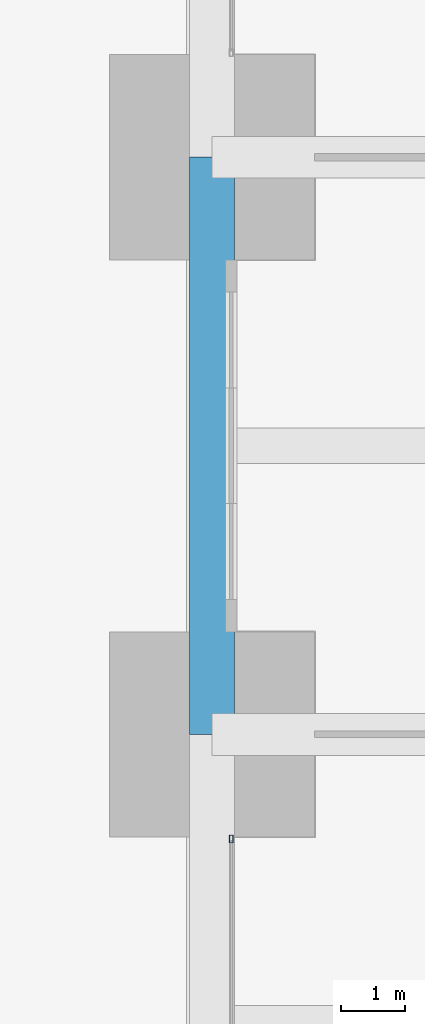
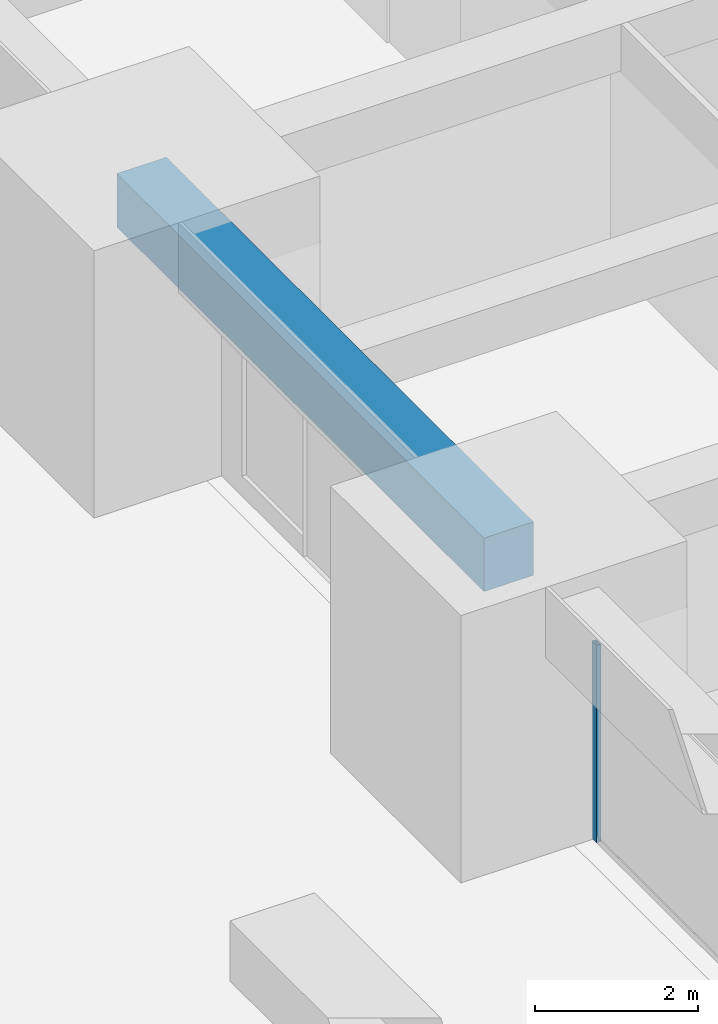
# One storey, part 11 of 40: 1 beam, 1 member, 1 element without a shape of its own.
"""IFC4 building model written with IfcOpenShell, lengths in metres."""

from ifc_helpers import new_model, si_unit, direction, frame, origin, origin_2d, place, context, subcontext, project, spatial, rectangle, hollow_rectangle, extrude, material, material_profile, profile_set, type_object, element, aggregate, save


model = new_model("IFC4")

# Units and contexts
model_context = context("Model", 3, precision=1e-05, world=origin(), true_north=direction((0.0, 1.0)))
body_context = subcontext(model_context, "Body", "Model", "MODEL_VIEW")
ifc_project = project(units=[si_unit("LENGTHUNIT", "METRE"), si_unit("AREAUNIT", "SQUARE_METRE"), si_unit("VOLUMEUNIT", "CUBIC_METRE"), si_unit("PLANEANGLEUNIT", "RADIAN"), si_unit("MASSUNIT", "GRAM", prefix="KILO")], contexts=[model_context])

# Site, building, storey
site_placement = place(None, origin())
site = spatial("IfcSite", under=ifc_project, at=site_placement, CompositionType="ELEMENT")
building_placement = place(site_placement, origin())
building = spatial("IfcBuilding", under=site, at=building_placement, Name="Zorevar Civic Tower", CompositionType="ELEMENT")
storey_placement = place(building_placement, frame((0.0, 0.0, 239.39990234375)))
storey = spatial("IfcBuildingStorey", under=building, at=storey_placement, Name="L58", CompositionType="ELEMENT", Elevation=239.39990234375)

# Curtain wall, member
ifc_material_1 = material(Name="Dark grey solar-control glass in black aluminium frame", Category="aluminium")
curtain_wall_type = type_object("IfcCurtainWallType", Name="Curtain wall CW5 top zone", PredefinedType="NOTDEFINED", material=ifc_material_1)
curtain_wall_placement = place(storey_placement, origin())
curtain_wall = element("IfcCurtainWall", 1, at=curtain_wall_placement, inside=storey, type_object=curtain_wall_type, Name="CW5 L58", PredefinedType="NOTDEFINED")
ifc_material_2 = material(Name="Aluminium, black anodised", Category="aluminium")
ifc_material_profile_1 = material_profile(ifc_material_2, hollow_rectangle(XDim=0.06005859375, YDim=0.1201171875, WallThickness=0.0029296875, at=origin_2d()), Name="AL 120x60x3")
ifc_profile_set_1 = profile_set([ifc_material_profile_1], Name="Aluminium, black anodised")
member_type = type_object("IfcMemberType", Name="CW5 mullion AL 120x60x3", PredefinedType="MULLION", material=ifc_profile_set_1)
member_placement = place(storey_placement, frame((9.300048828125, 16.3701171875, 0.0), z_axis=(0.0, 0.0, 1.0), x_axis=(-1.0, 0.0, 0.0)))
member = element("IfcMember", 2, at=member_placement, type_object=member_type, Name="CW5 mullion 2", PredefinedType="MULLION", context=body_context, shape_type="SweptSolid", body=[
    extrude(hollow_rectangle(XDim=0.06005859375, YDim=0.1201171875, WallThickness=0.0029296875, at=origin_2d()), origin(), (0.0, 0.0, 1.0), 2.9501953125),
])
aggregate(curtain_wall, [member])

# Beam
ifc_material_3 = material(Name="Concrete C50/60", Category="concrete")
ifc_material_profile_2 = material_profile(ifc_material_3, rectangle(XDim=0.699951171875, YDim=0.800048828125, at=origin_2d()), Name="RC 700x800")
ifc_profile_set_2 = profile_set([ifc_material_profile_2], Name="Concrete C50/60")
beam_type = type_object("IfcBeamType", Name="Edge beam RC 700x800", PredefinedType="SPANDREL", material=ifc_profile_set_2)
beam_placement = place(storey_placement, frame((9.0, 18.0, 3.35009765625), z_axis=(0.0, 1.0, 0.0), x_axis=(-1.0, 0.0, 0.0)))
element("IfcBeam", 3, at=beam_placement, inside=storey, type_object=beam_type, Name="Edge beam L59", PredefinedType="SPANDREL", context=body_context, shape_type="SweptSolid", body=[
    extrude(rectangle(XDim=0.699951171875, YDim=0.800048828125, at=origin_2d()), origin(), (0.0, 0.0, 1.0), 9.0),
])

save(model, "model.ifc")
